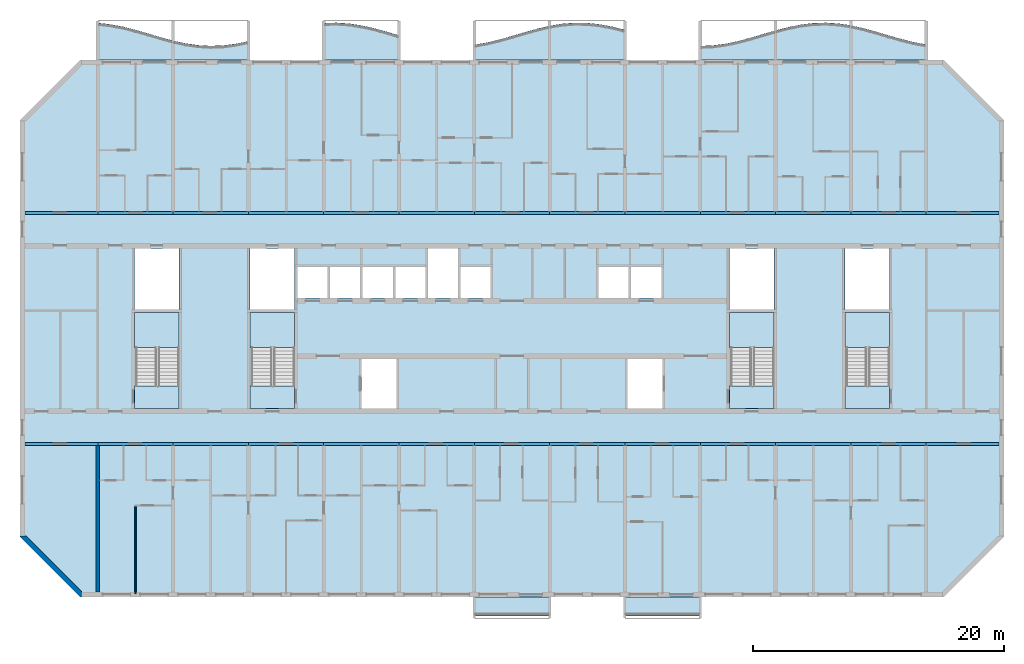
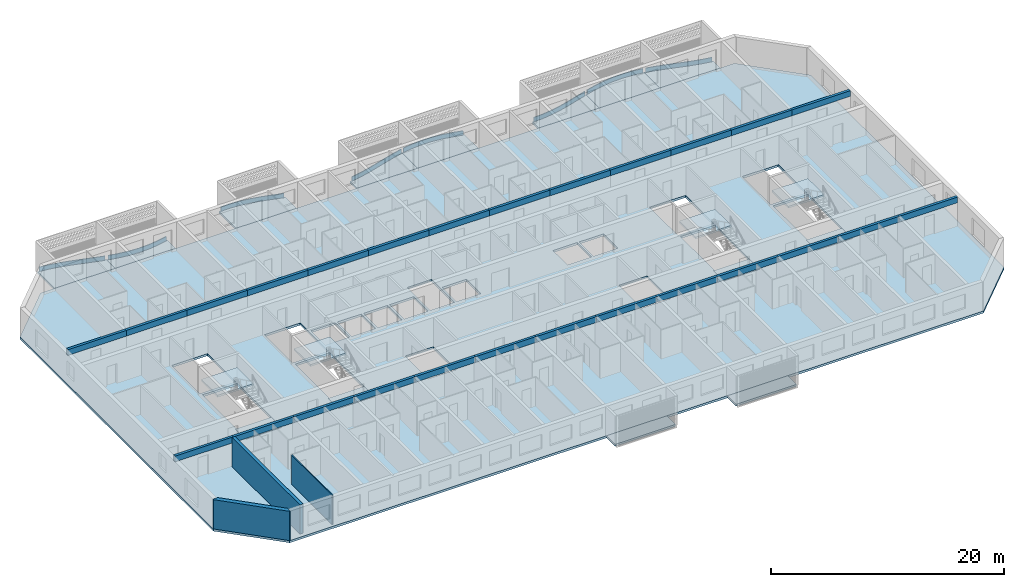
# One storey, part 1 of 31: 26 beams, 19 slabs, 8 plates, 3 walls, 4 elements without a shape of their own.
"""IFC4 building model written with IfcOpenShell, lengths in metres."""

from ifc_helpers import new_model, si_unit, direction, frame, frame_2d, origin, origin_2d, place, context, subcontext, project, spatial, polyline, rectangle, outline, extrude, source, transform, mapped, material, layer, layer_set, material_profile, profile_set, type_object, element, aggregate, save


model = new_model("IFC4")

# Units and contexts
model_context = context("Model", 3, precision=1e-05, world=origin(), true_north=direction((0.0, 1.0)))
body_context = subcontext(model_context, "Body", "Model", "MODEL_VIEW")
ifc_project = project(units=[si_unit("LENGTHUNIT", "METRE"), si_unit("AREAUNIT", "SQUARE_METRE"), si_unit("VOLUMEUNIT", "CUBIC_METRE"), si_unit("PLANEANGLEUNIT", "RADIAN"), si_unit("MASSUNIT", "GRAM", prefix="KILO")], contexts=[model_context])

# Site, building, storey
site_placement = place(None, origin())
site = spatial("IfcSite", under=ifc_project, at=site_placement, CompositionType="ELEMENT")
building_placement = place(site_placement, origin())
building = spatial("IfcBuilding", under=site, at=building_placement, Name="Poui Terraces", CompositionType="ELEMENT")
storey_placement = place(building_placement, frame((0.0, 0.0, 145.5)))
storey = spatial("IfcBuildingStorey", under=building, at=storey_placement, Name="L40", CompositionType="ELEMENT", Elevation=145.5)

# Beams
ifc_material_1 = material(Name="Concrete 65 MPa", Category="concrete")
ifc_material_profile = material_profile(ifc_material_1, rectangle(XDim=0.25, YDim=0.60009765625, at=origin_2d()), Name="RC 250x600")
ifc_profile_set = profile_set([ifc_material_profile], Name="Concrete 65 MPa")
beam_type = type_object("IfcBeamType", Name="COUPLING BEAM 250x600 65MPa", PredefinedType="BEAM", material=ifc_profile_set)
shared_shape_1 = source(origin(), body_context, "Body", "SweptSolid", [
    extrude(rectangle(XDim=0.25, YDim=0.60009765625, at=origin_2d()), origin(), (0.0, 0.0, 1.0), 5.800048828125),
])
for number, where, z_axis, x_axis, name in (
    (1, (12.199951171875, 12.0, 2.77001953125), (1.0, 0.0, 0.0), (0.0, 1.0, 0.0), "COUPLING BEAM LINE B BAY 1"),
    (2, (84.0, 12.0, 2.77001953125), (1.0, 0.0, 0.0), (0.0, 1.0, 0.0), "COUPLING BEAM LINE B BAY 13"),
    (3, (12.199951171875, 30.39990234375, 2.77001953125), (1.0, 0.0, 0.0), (0.0, 1.0, 0.0), "COUPLING BEAM LINE E BAY 1"),
    (4, (84.0, 30.39990234375, 2.77001953125), (1.0, 0.0, 0.0), (0.0, 1.0, 0.0), "COUPLING BEAM LINE E BAY 13"),
):
    element("IfcBeam", number, at=place(storey_placement, frame(where, z_axis=z_axis, x_axis=x_axis)), inside=storey, type_object=beam_type, Name=name, PredefinedType="BEAM", context=body_context, shape_type="MappedRepresentation", body=[
        mapped(shared_shape_1, transform((0.0, 0.0, 0.0))),
    ])
shared_shape_2 = source(origin(), body_context, "Body", "SweptSolid", [
    extrude(rectangle(XDim=0.25, YDim=0.60009765625, at=origin_2d()), origin(), (0.0, 0.0, 1.0), 6.0),
])
for number, where, z_axis, x_axis, name in (
    (5, (18.0, 12.0, 2.77001953125), (1.0, 0.0, 0.0), (0.0, 1.0, 0.0), "COUPLING BEAM LINE B BAY 2"),
    (6, (24.0, 12.0, 2.77001953125), (1.0, 0.0, 0.0), (0.0, 1.0, 0.0), "COUPLING BEAM LINE B BAY 3"),
    (7, (30.0, 12.0, 2.77001953125), (1.0, 0.0, 0.0), (0.0, 1.0, 0.0), "COUPLING BEAM LINE B BAY 4"),
    (8, (36.0, 12.0, 2.77001953125), (1.0, 0.0, 0.0), (0.0, 1.0, 0.0), "COUPLING BEAM LINE B BAY 5"),
    (9, (42.0, 12.0, 2.77001953125), (1.0, 0.0, 0.0), (0.0, 1.0, 0.0), "COUPLING BEAM LINE B BAY 6"),
    (10, (48.0, 12.0, 2.77001953125), (1.0, 0.0, 0.0), (0.0, 1.0, 0.0), "COUPLING BEAM LINE B BAY 7"),
    (11, (54.0, 12.0, 2.77001953125), (1.0, 0.0, 0.0), (0.0, 1.0, 0.0), "COUPLING BEAM LINE B BAY 8"),
    (12, (60.0, 12.0, 2.77001953125), (1.0, 0.0, 0.0), (0.0, 1.0, 0.0), "COUPLING BEAM LINE B BAY 9"),
    (13, (66.0, 12.0, 2.77001953125), (1.0, 0.0, 0.0), (0.0, 1.0, 0.0), "COUPLING BEAM LINE B BAY 10"),
    (14, (72.0, 12.0, 2.77001953125), (1.0, 0.0, 0.0), (0.0, 1.0, 0.0), "COUPLING BEAM LINE B BAY 11"),
    (15, (78.0, 12.0, 2.77001953125), (1.0, 0.0, 0.0), (0.0, 1.0, 0.0), "COUPLING BEAM LINE B BAY 12"),
    (16, (18.0, 30.39990234375, 2.77001953125), (1.0, 0.0, 0.0), (0.0, 1.0, 0.0), "COUPLING BEAM LINE E BAY 2"),
    (17, (24.0, 30.39990234375, 2.77001953125), (1.0, 0.0, 0.0), (0.0, 1.0, 0.0), "COUPLING BEAM LINE E BAY 3"),
    (18, (30.0, 30.39990234375, 2.77001953125), (1.0, 0.0, 0.0), (0.0, 1.0, 0.0), "COUPLING BEAM LINE E BAY 4"),
    (19, (36.0, 30.39990234375, 2.77001953125), (1.0, 0.0, 0.0), (0.0, 1.0, 0.0), "COUPLING BEAM LINE E BAY 5"),
    (20, (42.0, 30.39990234375, 2.77001953125), (1.0, 0.0, 0.0), (0.0, 1.0, 0.0), "COUPLING BEAM LINE E BAY 6"),
    (21, (48.0, 30.39990234375, 2.77001953125), (1.0, 0.0, 0.0), (0.0, 1.0, 0.0), "COUPLING BEAM LINE E BAY 7"),
    (22, (54.0, 30.39990234375, 2.77001953125), (1.0, 0.0, 0.0), (0.0, 1.0, 0.0), "COUPLING BEAM LINE E BAY 8"),
    (23, (60.0, 30.39990234375, 2.77001953125), (1.0, 0.0, 0.0), (0.0, 1.0, 0.0), "COUPLING BEAM LINE E BAY 9"),
    (24, (66.0, 30.39990234375, 2.77001953125), (1.0, 0.0, 0.0), (0.0, 1.0, 0.0), "COUPLING BEAM LINE E BAY 10"),
    (25, (72.0, 30.39990234375, 2.77001953125), (1.0, 0.0, 0.0), (0.0, 1.0, 0.0), "COUPLING BEAM LINE E BAY 11"),
    (26, (78.0, 30.39990234375, 2.77001953125), (1.0, 0.0, 0.0), (0.0, 1.0, 0.0), "COUPLING BEAM LINE E BAY 12"),
):
    element("IfcBeam", number, at=place(storey_placement, frame(where, z_axis=z_axis, x_axis=x_axis)), inside=storey, type_object=beam_type, Name=name, PredefinedType="BEAM", context=body_context, shape_type="MappedRepresentation", body=[
        mapped(shared_shape_2, transform((0.0, 0.0, 0.0))),
    ])

# Slabs
ifc_material_2 = material(Name="Precast concrete 40 MPa", Category="concrete")
ifc_layer_1 = layer(ifc_material_2, 0.199951171875)
ifc_layer_set_1 = layer_set([ifc_layer_1], Name="Precast concrete 40 MPa")
slab_type_1 = type_object("IfcSlabType", Name="BALCONY SLAB 200", PredefinedType="FLOOR", material=ifc_layer_set_1)
slab_1_placement = place(storey_placement, frame((0.0, 0.0, -0.2001953125)))
element("IfcSlab", 27, at=slab_1_placement, inside=storey, type_object=slab_type_1, Name="BALCONY SLAB", PredefinedType="FLOOR", context=body_context, shape_type="SweptSolid", body=[
    extrude(outline(polyline([(18.0, 42.60009765625), (24.0, 42.60009765625), (24.0, 44.1201171875), (23.0, 44.3916015625), (22.0, 44.68701171875), (21.0, 44.97607421875), (20.0, 45.22900390625), (19.0, 45.419921875), (18.0, 45.52880859375), (18.0, 42.60009765625)])), origin(), (0.0, 0.0, 1.0), 0.2001953125),
])
slab_2_placement = place(storey_placement, frame((0.0, 0.0, -0.2001953125)))
element("IfcSlab", 28, at=slab_2_placement, inside=storey, type_object=slab_type_1, Name="BALCONY SLAB", PredefinedType="FLOOR", context=body_context, shape_type="SweptSolid", body=[
    extrude(outline(polyline([(24.0, 42.60009765625), (30.0, 42.60009765625), (30.0, 44.079345703125), (29.0, 43.870849609375), (28.0, 43.739990234375), (27.0, 43.7001953125), (26.0, 43.755859375), (25.0, 43.900634765625), (24.0, 44.1201171875), (24.0, 42.60009765625)])), origin(), (0.0, 0.0, 1.0), 0.2001953125),
])
slab_3_placement = place(storey_placement, frame((0.0, 0.0, -0.2001953125)))
element("IfcSlab", 29, at=slab_3_placement, inside=storey, type_object=slab_type_1, Name="BALCONY SLAB", PredefinedType="FLOOR", context=body_context, shape_type="SweptSolid", body=[
    extrude(outline(polyline([(36.0, 42.60009765625), (42.0, 42.60009765625), (42.0, 44.5380859375), (41.0, 44.834228515625), (40.0, 45.10888671875), (39.0, 45.33349609375), (38.0, 45.4853515625), (37.0, 45.548583984375), (36.0, 45.516845703125), (36.0, 42.60009765625)])), origin(), (0.0, 0.0, 1.0), 0.2001953125),
])
slab_4_placement = place(storey_placement, frame((0.0, 0.0, -0.2001953125)))
element("IfcSlab", 30, at=slab_4_placement, inside=storey, type_object=slab_type_1, Name="BALCONY SLAB", PredefinedType="FLOOR", context=body_context, shape_type="SweptSolid", body=[
    extrude(outline(polyline([(48.0, 42.60009765625), (54.0, 42.60009765625), (54.0, 45.30078125), (53.0, 45.06591796875), (52.0, 44.78564453125), (51.0, 44.489013671875), (50.0, 44.206298828125), (49.0, 43.966552734375), (48.0, 43.794677734375), (48.0, 42.60009765625)])), origin(), (0.0, 0.0, 1.0), 0.2001953125),
])
slab_5_placement = place(storey_placement, frame((0.0, 0.0, -0.2001953125)))
element("IfcSlab", 31, at=slab_5_placement, inside=storey, type_object=slab_type_1, Name="BALCONY SLAB", PredefinedType="FLOOR", context=body_context, shape_type="SweptSolid", body=[
    extrude(outline(polyline([(54.0, 42.60009765625), (60.0, 42.60009765625), (60.0, 44.97607421875), (59.0, 45.22900390625), (58.0, 45.419921875), (57.0, 45.52880859375), (56.0, 45.544677734375), (55.0, 45.4658203125), (54.0, 45.30078125), (54.0, 42.60009765625)])), origin(), (0.0, 0.0, 1.0), 0.2001953125),
])
slab_6_placement = place(storey_placement, frame((0.0, 0.0, -0.2001953125)))
element("IfcSlab", 32, at=slab_6_placement, inside=storey, type_object=slab_type_1, Name="BALCONY SLAB", PredefinedType="FLOOR", context=body_context, shape_type="SweptSolid", body=[
    extrude(outline(polyline([(66.0, 42.60009765625), (72.0, 42.60009765625), (72.0, 44.9296875), (71.0, 44.637451171875), (70.0, 44.343994140625), (69.0, 44.079345703125), (68.0, 43.870849609375), (67.0, 43.739990234375), (66.0, 43.7001953125), (66.0, 42.60009765625)])), origin(), (0.0, 0.0, 1.0), 0.2001953125),
])
slab_7_placement = place(storey_placement, frame((0.0, 0.0, -0.2001953125)))
element("IfcSlab", 33, at=slab_7_placement, inside=storey, type_object=slab_type_1, Name="BALCONY SLAB", PredefinedType="FLOOR", context=body_context, shape_type="SweptSolid", body=[
    extrude(outline(polyline([(72.0, 42.60009765625), (78.0, 42.60009765625), (78.0, 45.33349609375), (77.0, 45.4853515625), (76.0, 45.548583984375), (75.0, 45.516845703125), (74.0, 45.393310546875), (73.0, 45.190673828125), (72.0, 44.9296875), (72.0, 42.60009765625)])), origin(), (0.0, 0.0, 1.0), 0.2001953125),
])
slab_8_placement = place(storey_placement, frame((0.0, 0.0, -0.2001953125)))
element("IfcSlab", 34, at=slab_8_placement, inside=storey, type_object=slab_type_1, Name="BALCONY SLAB", PredefinedType="FLOOR", context=body_context, shape_type="SweptSolid", body=[
    extrude(outline(polyline([(78.0, 42.60009765625), (84.0, 42.60009765625), (84.0, 43.81787109375), (83.0, 44.00244140625), (82.0, 44.2509765625), (81.0, 44.5380859375), (80.0, 44.834228515625), (79.0, 45.10888671875), (78.0, 45.33349609375), (78.0, 42.60009765625)])), origin(), (0.0, 0.0, 1.0), 0.2001953125),
])

# Stair, slabs
stair_type = type_object("IfcStairType", Name="EXIT STAIR 1650 65 MPA", PredefinedType="HALF_TURN_STAIR", material=ifc_material_1)
stair_1_placement = place(storey_placement, origin())
stair_1 = element("IfcStair", 35, at=stair_1_placement, inside=storey, type_object=stair_type, Name="L40 CORE STAIR EAST", PredefinedType="HALF_TURN_STAIR")
ifc_layer_2 = layer(ifc_material_1, 0.199951171875)
ifc_layer_set_2 = layer_set([ifc_layer_2], Name="Concrete 65 MPa")
slab_type_2 = type_object("IfcSlabType", Name="STAIR LANDING 200 65 MPA", PredefinedType="LANDING", material=ifc_layer_set_2)
slab_9_placement = place(storey_placement, frame((0.0, 0.0, 1.449951171875)))
slab_9 = element("IfcSlab", 36, at=slab_9_placement, type_object=slab_type_2, Name="ST-CE landing 1", PredefinedType="LANDING", context=body_context, shape_type="SweptSolid", body=[
    extrude(outline(polyline([(68.324951171875, 19.679931640625), (71.875, 19.679931640625), (71.875, 22.47509765625), (68.324951171875, 22.47509765625), (68.324951171875, 19.679931640625)])), origin(), (0.0, 0.0, 1.0), 0.199951171875),
])
slab_10_placement = place(storey_placement, frame((0.0, 0.0, -0.2001953125)))
slab_10 = element("IfcSlab", 37, at=slab_10_placement, type_object=slab_type_2, Name="ST-CE landing 2", PredefinedType="LANDING", context=body_context, shape_type="SweptSolid", body=[
    extrude(outline(polyline([(68.324951171875, 14.824951171875), (71.875, 14.824951171875), (71.875, 16.60009765625), (68.324951171875, 16.60009765625), (68.324951171875, 14.824951171875)])), origin(), (0.0, 0.0, 1.0), 0.2001953125),
])
aggregate(stair_1, [slab_9, slab_10])

stair_2_placement = place(storey_placement, origin())
stair_2 = element("IfcStair", 38, at=stair_2_placement, inside=storey, type_object=stair_type, Name="L40 CORE STAIR WEST", PredefinedType="HALF_TURN_STAIR")
slab_11_placement = place(storey_placement, frame((0.0, 0.0, 1.449951171875)))
slab_11 = element("IfcSlab", 39, at=slab_11_placement, type_object=slab_type_2, Name="ST-CW landing 1", PredefinedType="LANDING", context=body_context, shape_type="SweptSolid", body=[
    extrude(outline(polyline([(30.125, 19.679931640625), (33.675048828125, 19.679931640625), (33.675048828125, 22.47509765625), (30.125, 22.47509765625), (30.125, 19.679931640625)])), origin(), (0.0, 0.0, 1.0), 0.199951171875),
])
slab_12_placement = place(storey_placement, frame((0.0, 0.0, -0.2001953125)))
slab_12 = element("IfcSlab", 40, at=slab_12_placement, type_object=slab_type_2, Name="ST-CW landing 2", PredefinedType="LANDING", context=body_context, shape_type="SweptSolid", body=[
    extrude(outline(polyline([(30.125, 14.824951171875), (33.675048828125, 14.824951171875), (33.675048828125, 16.60009765625), (30.125, 16.60009765625), (30.125, 14.824951171875)])), origin(), (0.0, 0.0, 1.0), 0.2001953125),
])
aggregate(stair_2, [slab_11, slab_12])

stair_3_placement = place(storey_placement, origin())
stair_3 = element("IfcStair", 41, at=stair_3_placement, inside=storey, type_object=stair_type, Name="L40 TIP STAIR EAST", PredefinedType="HALF_TURN_STAIR")
slab_13_placement = place(storey_placement, frame((0.0, 0.0, 1.449951171875)))
slab_13 = element("IfcSlab", 42, at=slab_13_placement, type_object=slab_type_2, Name="ST-E landing 1", PredefinedType="LANDING", context=body_context, shape_type="SweptSolid", body=[
    extrude(outline(polyline([(77.52490234375, 19.679931640625), (81.074951171875, 19.679931640625), (81.074951171875, 22.47509765625), (77.52490234375, 22.47509765625), (77.52490234375, 19.679931640625)])), origin(), (0.0, 0.0, 1.0), 0.199951171875),
])
slab_14_placement = place(storey_placement, frame((0.0, 0.0, -0.2001953125)))
slab_14 = element("IfcSlab", 43, at=slab_14_placement, type_object=slab_type_2, Name="ST-E landing 2", PredefinedType="LANDING", context=body_context, shape_type="SweptSolid", body=[
    extrude(outline(polyline([(77.52490234375, 14.824951171875), (81.074951171875, 14.824951171875), (81.074951171875, 16.60009765625), (77.52490234375, 16.60009765625), (77.52490234375, 14.824951171875)])), origin(), (0.0, 0.0, 1.0), 0.2001953125),
])
aggregate(stair_3, [slab_13, slab_14])

stair_4_placement = place(storey_placement, origin())
stair_4 = element("IfcStair", 44, at=stair_4_placement, inside=storey, type_object=stair_type, Name="L40 TIP STAIR WEST", PredefinedType="HALF_TURN_STAIR")
slab_15_placement = place(storey_placement, frame((0.0, 0.0, 1.449951171875)))
slab_15 = element("IfcSlab", 45, at=slab_15_placement, type_object=slab_type_2, Name="ST-W landing 1", PredefinedType="LANDING", context=body_context, shape_type="SweptSolid", body=[
    extrude(outline(polyline([(20.925048828125, 19.679931640625), (24.47509765625, 19.679931640625), (24.47509765625, 22.47509765625), (20.925048828125, 22.47509765625), (20.925048828125, 19.679931640625)])), origin(), (0.0, 0.0, 1.0), 0.199951171875),
])
slab_16_placement = place(storey_placement, frame((0.0, 0.0, -0.2001953125)))
slab_16 = element("IfcSlab", 46, at=slab_16_placement, type_object=slab_type_2, Name="ST-W landing 2", PredefinedType="LANDING", context=body_context, shape_type="SweptSolid", body=[
    extrude(outline(polyline([(20.925048828125, 14.824951171875), (24.47509765625, 14.824951171875), (24.47509765625, 16.60009765625), (20.925048828125, 16.60009765625), (20.925048828125, 14.824951171875)])), origin(), (0.0, 0.0, 1.0), 0.2001953125),
])
aggregate(stair_4, [slab_15, slab_16])

# Plates
ifc_layer_3 = layer(ifc_material_2, 0.080078125)
ifc_layer_set_3 = layer_set([ifc_layer_3], Name="Precast concrete 40 MPa")
plate_type = type_object("IfcPlateType", Name="SUNSHADE UPSTAND 80", PredefinedType="SHEET", material=ifc_layer_set_3)
plate_1_placement = place(storey_placement, origin())
element("IfcPlate", 47, at=plate_1_placement, inside=storey, type_object=plate_type, Name="SUNSHADE UPSTAND", PredefinedType="SHEET", context=body_context, shape_type="SweptSolid", body=[
    extrude(outline(polyline([(19.006103515625, 45.414306640625), (18.161865234375, 45.510986328125), (18.12939453125, 45.5146484375), (18.120361328125, 45.435302734375), (18.993896484375, 45.335205078125), (19.9912109375, 45.14501953125), (20.989501953125, 44.892578125), (21.98876953125, 44.603759765625), (22.989013671875, 44.30810546875), (23.864501953125, 44.068115234375), (23.885498046875, 44.1455078125), (23.010986328125, 44.385009765625), (22.01123046875, 44.680419921875), (21.010498046875, 44.9697265625), (20.0087890625, 45.22314453125), (19.006103515625, 45.414306640625)])), origin(), (0.0, 0.0, 1.0), 0.449951171875),
])
plate_2_placement = place(storey_placement, origin())
element("IfcPlate", 48, at=plate_2_placement, inside=storey, type_object=plate_type, Name="SUNSHADE UPSTAND", PredefinedType="SHEET", context=body_context, shape_type="SweptSolid", body=[
    extrude(outline(polyline([(25.007080078125, 43.89501953125), (24.13330078125, 44.08349609375), (24.11669921875, 44.00537109375), (24.992919921875, 43.81640625), (25.99609375, 43.6708984375), (26.999755859375, 43.615234375), (28.00341796875, 43.6552734375), (29.006591796875, 43.786376953125), (29.883056640625, 43.965576171875), (29.866943359375, 44.0439453125), (28.993408203125, 43.865234375), (27.99658203125, 43.735107421875), (27.000244140625, 43.6953125), (26.00390625, 43.75048828125), (25.007080078125, 43.89501953125)])), origin(), (0.0, 0.0, 1.0), 0.449951171875),
])
plate_3_placement = place(storey_placement, origin())
element("IfcPlate", 49, at=plate_3_placement, inside=storey, type_object=plate_type, Name="SUNSHADE UPSTAND", PredefinedType="SHEET", context=body_context, shape_type="SweptSolid", body=[
    extrude(outline(polyline([(37.000732421875, 45.543701171875), (36.157958984375, 45.52197265625), (36.1240234375, 45.520751953125), (36.1259765625, 45.44091796875), (36.999267578125, 45.463623046875), (37.99560546875, 45.400634765625), (38.99267578125, 45.249267578125), (39.990234375, 45.02490234375), (40.989013671875, 44.750732421875), (41.863525390625, 44.491943359375), (41.886474609375, 44.568603515625), (41.010986328125, 44.827880859375), (40.009765625, 45.102783203125), (39.00732421875, 45.327880859375), (38.00439453125, 45.480224609375), (37.000732421875, 45.543701171875)])), origin(), (0.0, 0.0, 1.0), 0.449951171875),
])
plate_4_placement = place(storey_placement, origin())
element("IfcPlate", 50, at=plate_4_placement, inside=storey, type_object=plate_type, Name="SUNSHADE UPSTAND", PredefinedType="SHEET", context=body_context, shape_type="SweptSolid", body=[
    extrude(outline(polyline([(48.99169921875, 43.960693359375), (48.117919921875, 43.80615234375), (48.132080078125, 43.727294921875), (49.00830078125, 43.88232421875), (50.010009765625, 44.12255859375), (51.010986328125, 44.405517578125), (52.010986328125, 44.7021484375), (53.010009765625, 44.982177734375), (53.88427734375, 45.19091796875), (53.86572265625, 45.2685546875), (52.989990234375, 45.0595703125), (51.989013671875, 44.779052734375), (50.989013671875, 44.482421875), (49.989990234375, 44.199951171875), (48.99169921875, 43.960693359375)])), origin(), (0.0, 0.0, 1.0), 0.449951171875),
])
plate_5_placement = place(storey_placement, origin())
element("IfcPlate", 51, at=plate_5_placement, inside=storey, type_object=plate_type, Name="SUNSHADE UPSTAND", PredefinedType="SHEET", context=body_context, shape_type="SweptSolid", body=[
    extrude(outline(polyline([(54.995361328125, 45.460693359375), (54.11865234375, 45.320068359375), (54.13134765625, 45.2412109375), (55.004638671875, 45.381103515625), (56.001220703125, 45.459716796875), (56.99755859375, 45.44384765625), (57.994140625, 45.335205078125), (58.991455078125, 45.14501953125), (59.865234375, 44.926513671875), (59.884765625, 45.004150390625), (59.008544921875, 45.22314453125), (58.005859375, 45.414306640625), (57.00244140625, 45.523681640625), (55.998779296875, 45.539794921875), (54.995361328125, 45.460693359375)])), origin(), (0.0, 0.0, 1.0), 0.449951171875),
])
plate_6_placement = place(storey_placement, origin())
element("IfcPlate", 52, at=plate_6_placement, inside=storey, type_object=plate_type, Name="SUNSHADE UPSTAND", PredefinedType="SHEET", context=body_context, shape_type="SweptSolid", body=[
    extrude(outline(polyline([(66.99658203125, 43.73486328125), (66.123291015625, 43.695068359375), (66.126708984375, 43.614990234375), (67.00341796875, 43.6552734375), (68.006591796875, 43.786376953125), (69.00927734375, 43.995361328125), (70.0107421875, 44.260498046875), (71.01123046875, 44.553955078125), (71.88623046875, 44.810791015625), (71.86376953125, 44.8876953125), (70.98876953125, 44.630859375), (69.9892578125, 44.33740234375), (68.99072265625, 44.0732421875), (67.993408203125, 43.865234375), (66.99658203125, 43.73486328125)])), origin(), (0.0, 0.0, 1.0), 0.449951171875),
])
plate_7_placement = place(storey_placement, origin())
element("IfcPlate", 53, at=plate_7_placement, inside=storey, type_object=plate_type, Name="SUNSHADE UPSTAND", PredefinedType="SHEET", context=body_context, shape_type="SweptSolid", body=[
    extrude(outline(polyline([(72.990966796875, 45.1845703125), (72.114990234375, 44.958251953125), (72.135009765625, 44.880859375), (73.009033203125, 45.106689453125), (74.00634765625, 45.30859375), (75.003173828125, 45.431884765625), (75.99951171875, 45.463623046875), (76.995849609375, 45.400634765625), (77.869140625, 45.2724609375), (77.880859375, 45.3515625), (77.004150390625, 45.480224609375), (76.00048828125, 45.543701171875), (74.996826171875, 45.51171875), (73.99365234375, 45.3876953125), (72.990966796875, 45.1845703125)])), origin(), (0.0, 0.0, 1.0), 0.449951171875),
])
plate_8_placement = place(storey_placement, origin())
element("IfcPlate", 54, at=plate_8_placement, inside=storey, type_object=plate_type, Name="SUNSHADE UPSTAND", PredefinedType="SHEET", context=body_context, shape_type="SweptSolid", body=[
    extrude(outline(polyline([(79.009765625, 45.1025390625), (78.1337890625, 45.302978515625), (78.1162109375, 45.22509765625), (78.990234375, 45.02490234375), (79.989013671875, 44.750732421875), (80.98876953125, 44.454833984375), (81.98974609375, 44.16748046875), (82.991455078125, 43.918212890625), (83.86767578125, 43.752197265625), (83.88232421875, 43.830810546875), (83.008544921875, 43.99658203125), (82.01025390625, 44.24462890625), (81.01123046875, 44.531494140625), (80.010986328125, 44.827880859375), (79.009765625, 45.1025390625)])), origin(), (0.0, 0.0, 1.0), 0.449951171875),
])

# Slabs
ifc_material_3 = material(Name="Concrete 40 MPa", Category="concrete")
ifc_layer_4 = layer(ifc_material_3, 0.22998046875)
ifc_layer_set_4 = layer_set([ifc_layer_4], Name="Concrete 40 MPa")
slab_type_3 = type_object("IfcSlabType", Name="FLOOR SLAB 230", PredefinedType="FLOOR", material=ifc_layer_set_4)
shared_shape_3 = source(origin(), body_context, "Body", "SweptSolid", [
    extrude(outline(polyline([(0.0, 0.0), (4.800048828125, -4.800048828125), (73.599853515625, -4.800048828125), (78.39990234375, 0.0), (78.39990234375, 33.199951171875), (73.599853515625, 38.0), (4.800048828125, 38.0), (0.0, 33.199951171875), (0.0, 0.0)]), holes=[polyline([(27.199951171875, 10.224853515625), (27.199951171875, 14.1748046875), (30.0, 14.1748046875), (30.0, 10.224853515625), (27.199951171875, 10.224853515625)]), polyline([(9.224853515625, 17.849853515625), (12.675048828125, 17.849853515625), (12.675048828125, 12.0), (12.675048828125, 10.224853515625), (9.125, 10.224853515625), (9.125, 12.0), (9.224853515625, 12.0), (9.224853515625, 17.849853515625)]), polyline([(18.425048828125, 17.849853515625), (21.875, 17.849853515625), (21.875, 12.0), (21.875, 10.224853515625), (18.324951171875, 10.224853515625), (18.324951171875, 12.0), (18.425048828125, 12.0), (18.425048828125, 17.849853515625)]), polyline([(22.099853515625, 19.02490234375), (22.099853515625, 21.5), (24.5, 21.5), (24.5, 19.02490234375), (22.099853515625, 19.02490234375)]), polyline([(24.699951171875, 19.02490234375), (24.699951171875, 21.5), (27.099853515625, 21.5), (27.099853515625, 19.02490234375), (24.699951171875, 19.02490234375)]), polyline([(27.300048828125, 19.02490234375), (27.300048828125, 21.5), (29.699951171875, 21.5), (29.699951171875, 19.02490234375), (27.300048828125, 19.02490234375)]), polyline([(29.89990234375, 19.02490234375), (29.89990234375, 21.5), (32.300048828125, 21.5), (32.300048828125, 19.02490234375), (29.89990234375, 19.02490234375)]), polyline([(9.125, 22.974853515625), (12.675048828125, 22.974853515625), (12.675048828125, 18.125), (9.125, 18.125), (9.125, 22.974853515625)]), polyline([(18.324951171875, 22.974853515625), (21.875, 22.974853515625), (21.875, 18.125), (18.324951171875, 18.125), (18.324951171875, 22.974853515625)]), polyline([(48.39990234375, 10.224853515625), (48.39990234375, 14.1748046875), (51.199951171875, 14.1748046875), (51.199951171875, 10.224853515625), (48.39990234375, 10.224853515625)]), polyline([(56.625, 17.849853515625), (60.074951171875, 17.849853515625), (60.074951171875, 12.0), (60.074951171875, 10.224853515625), (56.52490234375, 10.224853515625), (56.52490234375, 12.0), (56.625, 12.0), (56.625, 17.849853515625)]), polyline([(65.824951171875, 17.849853515625), (69.27490234375, 17.849853515625), (69.27490234375, 12.0), (69.27490234375, 10.224853515625), (65.724853515625, 10.224853515625), (65.724853515625, 12.0), (65.824951171875, 12.0), (65.824951171875, 17.849853515625)]), polyline([(35.099853515625, 19.02490234375), (35.099853515625, 21.5), (37.5, 21.5), (37.5, 19.02490234375), (35.099853515625, 19.02490234375)]), polyline([(46.099853515625, 19.02490234375), (46.099853515625, 21.5), (48.5, 21.5), (48.5, 19.02490234375), (46.099853515625, 19.02490234375)]), polyline([(48.699951171875, 19.02490234375), (48.699951171875, 21.5), (51.099853515625, 21.5), (51.099853515625, 19.02490234375), (48.699951171875, 19.02490234375)]), polyline([(56.52490234375, 18.125), (56.52490234375, 22.974853515625), (60.074951171875, 22.974853515625), (60.074951171875, 18.125), (56.52490234375, 18.125)]), polyline([(65.724853515625, 22.974853515625), (69.27490234375, 22.974853515625), (69.27490234375, 18.125), (65.724853515625, 18.125), (65.724853515625, 22.974853515625)]), polyline([(32.5, 22.974853515625), (34.89990234375, 22.974853515625), (34.89990234375, 19.02490234375), (32.5, 19.02490234375), (32.5, 22.974853515625)])]), origin(), (0.0, 0.0, 1.0), 0.230224609375),
])
slab_17_placement = place(storey_placement, frame((11.800048828125, 4.60009765625, -0.230224609375)))
element("IfcSlab", 55, at=slab_17_placement, inside=storey, type_object=slab_type_3, Name="FLOOR SLAB", PredefinedType="FLOOR", context=body_context, shape_type="MappedRepresentation", body=[
    mapped(shared_shape_3, transform((0.0, 0.0, 0.0))),
])
ifc_layer_5 = layer(ifc_material_2, 0.199951171875)
ifc_layer_set_5 = layer_set([ifc_layer_5], Name="Precast concrete 40 MPa")
slab_type_4 = type_object("IfcSlabType", Name="REAR BALCONY SLAB 200", PredefinedType="FLOOR", material=ifc_layer_set_5)
shared_shape_4 = source(origin(), body_context, "Body", "SweptSolid", [
    extrude(outline(polyline([(0.0, 0.0), (6.0, 0.0), (6.0, 1.5), (0.0, 1.5), (0.0, 0.0)])), origin(), (0.0, 0.0, 1.0), 0.2001953125),
])
for number, where, name in (
    (56, (48.0, -1.699951171875, -0.2001953125), "REAR BALCONY SLAB"),
    (57, (60.0, -1.699951171875, -0.2001953125), "REAR BALCONY SLAB"),
):
    element("IfcSlab", number, at=place(storey_placement, frame(where)), inside=storey, type_object=slab_type_4, Name=name, PredefinedType="FLOOR", context=body_context, shape_type="MappedRepresentation", body=[
        mapped(shared_shape_4, transform((0.0, 0.0, 0.0))),
    ])

# Walls
ifc_layer_6 = layer(ifc_material_1, 0.300048828125)
ifc_layer_set_6 = layer_set([ifc_layer_6], Name="Concrete 65 MPa")
wall_type_1 = type_object("IfcWallType", Name="CROSS WALL 300 65MPa", PredefinedType="SHEAR", material=ifc_layer_set_6)
wall_1_placement = place(storey_placement, frame((18.0, 0.199951171875, 0.0), z_axis=(0.0, 0.0, 1.0), x_axis=(0.0, 1.0, 0.0)))
element("IfcWall", 58, at=wall_1_placement, inside=storey, type_object=wall_type_1, Name="CROSS WALL LINE 4 SOUTH", PredefinedType="SHEAR", context=body_context, shape_type="SweptSolid", body=[
    extrude(rectangle(XDim=11.675048828125, YDim=0.300048828125, at=frame_2d((5.83740234375, 0.0))), origin(), (0.0, 0.0, 1.0), 3.070068359375),
])
ifc_material_4 = material(Name="Plasterboard partition")
ifc_layer_7 = layer(ifc_material_4, 0.10009765625)
ifc_layer_set_7 = layer_set([ifc_layer_7], Name="Plasterboard partition")
wall_type_2 = type_object("IfcWallType", Name="FLAT PARTITION 100", PredefinedType="PARTITIONING", material=ifc_layer_set_7)
wall_2_placement = place(storey_placement, frame((21.0, 0.06005859375, 0.0), z_axis=(0.0, 0.0, 1.0), x_axis=(0.0, 1.0, 0.0)))
element("IfcWall", 59, at=wall_2_placement, inside=storey, type_object=wall_type_2, Name="FLAT PARTITION 100", PredefinedType="PARTITIONING", context=body_context, shape_type="SweptSolid", body=[
    extrude(rectangle(XDim=6.989990234375, YDim=0.10009765625, at=frame_2d((3.4951171875, 0.0))), origin(), (0.0, 0.0, 1.0), 3.070068359375),
])
ifc_layer_8 = layer(ifc_material_2, 0.39990234375)
ifc_layer_set_8 = layer_set([ifc_layer_8], Name="Precast concrete 40 MPa")
wall_type_3 = type_object("IfcWallType", Name="TERRACOTTA CLAD CHAMFER WALL 400", PredefinedType="STANDARD", material=ifc_layer_set_8)
wall_3_placement = place(storey_placement, origin())
element("IfcWall", 60, at=wall_3_placement, inside=storey, type_object=wall_type_3, Name="CHAMFER WALL CH07", PredefinedType="STANDARD", context=body_context, shape_type="SweptSolid", body=[
    extrude(outline(polyline([(11.800048828125, 4.682861328125), (11.800048828125, 4.60009765625), (16.60009765625, -0.199951171875), (16.682861328125, -0.199951171875), (16.682861328125, 0.28271484375), (12.28271484375, 4.682861328125), (11.800048828125, 4.682861328125)])), origin(), (0.0, 0.0, 1.0), 3.070068359375),
])

save(model, "model.ifc")
